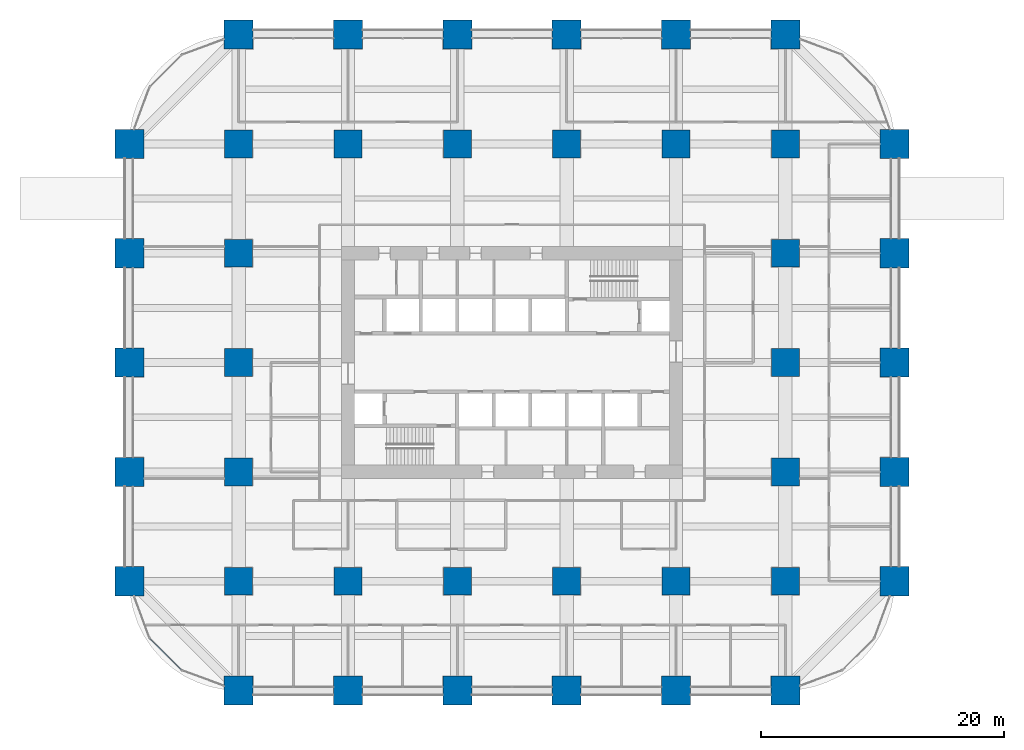
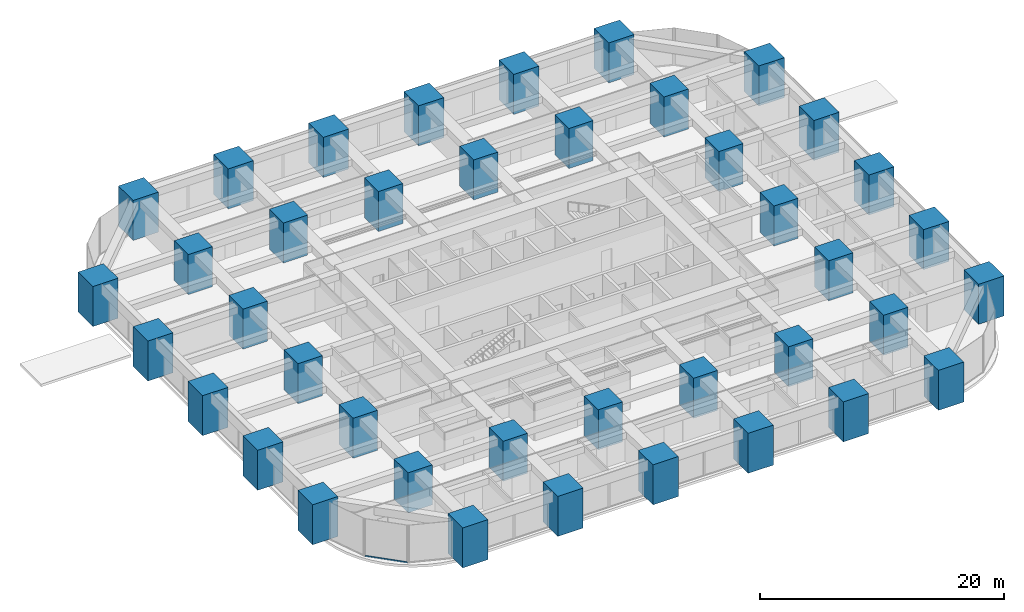
# One storey, part 1 of 39: 40 columns, 1 member, 1 element without a shape of its own.
"""IFC4 building model written with IfcOpenShell, lengths in metres."""

from ifc_helpers import new_model, si_unit, direction, frame, origin, origin_2d, place, context, subcontext, project, spatial, rectangle, hollow_rectangle, extrude, material, material_profile, profile_set, type_object, element, aggregate, save


model = new_model("IFC4")

# Units and contexts
model_context = context("Model", 3, precision=1e-05, world=origin(), true_north=direction((0.0, 1.0)))
body_context = subcontext(model_context, "Body", "Model", "MODEL_VIEW")
ifc_project = project(units=[si_unit("LENGTHUNIT", "METRE"), si_unit("AREAUNIT", "SQUARE_METRE"), si_unit("VOLUMEUNIT", "CUBIC_METRE"), si_unit("PLANEANGLEUNIT", "RADIAN"), si_unit("MASSUNIT", "GRAM", prefix="KILO")], contexts=[model_context])

# Site, building, storey
site_placement = place(None, origin())
site = spatial("IfcSite", under=ifc_project, at=site_placement, CompositionType="ELEMENT")
building_placement = place(site_placement, origin())
building = spatial("IfcBuilding", under=site, at=building_placement, Name="Zorevar Civic Tower", CompositionType="ELEMENT")
storey_placement = place(building_placement, frame((0.0, 0.0, 19.800048828125)))
storey = spatial("IfcBuildingStorey", under=building, at=storey_placement, Name="L04", CompositionType="ELEMENT", Elevation=19.800048828125)

# Columns
ifc_material_1 = material(Name="Concrete C50/60", Category="concrete")
ifc_material_profile_1 = material_profile(ifc_material_1, rectangle(XDim=2.300048828125, YDim=2.300048828125, at=origin_2d()), Name="RC 2300x2300")
ifc_profile_set_1 = profile_set([ifc_material_profile_1], Name="Concrete C50/60")
column_type_1 = type_object("IfcColumnType", Name="Column RC 2300x2300", PredefinedType="COLUMN", material=ifc_profile_set_1)
for number, where, z_axis, x_axis, name in (
    (1, (9.0, 9.0, 0.0), (0.0, 0.0, 1.0), (1.0, 0.0, 0.0), "Column 3B L04"),
    (2, (9.0, 18.0, 0.0), (0.0, 0.0, 1.0), (1.0, 0.0, 0.0), "Column 3C L04"),
    (3, (9.0, 27.0, 0.0), (0.0, 0.0, 1.0), (1.0, 0.0, 0.0), "Column 3D L04"),
    (4, (9.0, 36.0, 0.0), (0.0, 0.0, 1.0), (1.0, 0.0, 0.0), "Column 3E L04"),
    (5, (9.0, 45.0, 0.0), (0.0, 0.0, 1.0), (1.0, 0.0, 0.0), "Column 3F L04"),
    (6, (18.0, 9.0, 0.0), (0.0, 0.0, 1.0), (1.0, 0.0, 0.0), "Column 4B L04"),
    (7, (18.0, 45.0, 0.0), (0.0, 0.0, 1.0), (1.0, 0.0, 0.0), "Column 4F L04"),
    (8, (27.0, 9.0, 0.0), (0.0, 0.0, 1.0), (1.0, 0.0, 0.0), "Column 5B L04"),
    (9, (27.0, 45.0, 0.0), (0.0, 0.0, 1.0), (1.0, 0.0, 0.0), "Column 5F L04"),
    (10, (36.0, 9.0, 0.0), (0.0, 0.0, 1.0), (1.0, 0.0, 0.0), "Column 6B L04"),
    (11, (36.0, 45.0, 0.0), (0.0, 0.0, 1.0), (1.0, 0.0, 0.0), "Column 6F L04"),
    (12, (45.0, 9.0, 0.0), (0.0, 0.0, 1.0), (1.0, 0.0, 0.0), "Column 7B L04"),
    (13, (45.0, 45.0, 0.0), (0.0, 0.0, 1.0), (1.0, 0.0, 0.0), "Column 7F L04"),
    (14, (54.0, 9.0, 0.0), (0.0, 0.0, 1.0), (1.0, 0.0, 0.0), "Column 8B L04"),
    (15, (54.0, 18.0, 0.0), (0.0, 0.0, 1.0), (1.0, 0.0, 0.0), "Column 8C L04"),
    (16, (54.0, 27.0, 0.0), (0.0, 0.0, 1.0), (1.0, 0.0, 0.0), "Column 8D L04"),
    (17, (54.0, 36.0, 0.0), (0.0, 0.0, 1.0), (1.0, 0.0, 0.0), "Column 8E L04"),
    (18, (54.0, 45.0, 0.0), (0.0, 0.0, 1.0), (1.0, 0.0, 0.0), "Column 8F L04"),
):
    element("IfcColumn", number, at=place(storey_placement, frame(where, z_axis=z_axis, x_axis=x_axis)), inside=storey, type_object=column_type_1, Name=name, PredefinedType="COLUMN", context=body_context, shape_type="SweptSolid", body=[
        extrude(rectangle(XDim=2.300048828125, YDim=2.300048828125, at=origin_2d()), origin(), (0.0, 0.0, 1.0), 4.0),
    ])
ifc_material_2 = material(Name="Concrete C50/60", Category="concrete")
ifc_material_profile_2 = material_profile(ifc_material_2, rectangle(XDim=2.39990234375, YDim=2.39990234375, at=origin_2d()), Name="RC 2400x2400")
ifc_profile_set_2 = profile_set([ifc_material_profile_2], Name="Concrete C50/60")
column_type_2 = type_object("IfcColumnType", Name="Column RC 2400x2400", PredefinedType="COLUMN", material=ifc_profile_set_2)
for number, where, z_axis, x_axis, name in (
    (19, (0.0, 9.0, 0.0), (0.0, 0.0, 1.0), (1.0, 0.0, 0.0), "Column 2B L04"),
    (20, (0.0, 18.0, 0.0), (0.0, 0.0, 1.0), (1.0, 0.0, 0.0), "Column 2C L04"),
    (21, (0.0, 27.0, 0.0), (0.0, 0.0, 1.0), (1.0, 0.0, 0.0), "Column 2D L04"),
    (22, (0.0, 36.0, 0.0), (0.0, 0.0, 1.0), (1.0, 0.0, 0.0), "Column 2E L04"),
    (23, (0.0, 45.0, 0.0), (0.0, 0.0, 1.0), (1.0, 0.0, 0.0), "Column 2F L04"),
    (24, (9.0, 0.0, 0.0), (0.0, 0.0, 1.0), (1.0, 0.0, 0.0), "Column 3A L04"),
    (25, (9.0, 54.0, 0.0), (0.0, 0.0, 1.0), (1.0, 0.0, 0.0), "Column 3G L04"),
    (26, (18.0, 0.0, 0.0), (0.0, 0.0, 1.0), (1.0, 0.0, 0.0), "Column 4A L04"),
    (27, (18.0, 54.0, 0.0), (0.0, 0.0, 1.0), (1.0, 0.0, 0.0), "Column 4G L04"),
    (28, (27.0, 0.0, 0.0), (0.0, 0.0, 1.0), (1.0, 0.0, 0.0), "Column 5A L04"),
    (29, (27.0, 54.0, 0.0), (0.0, 0.0, 1.0), (1.0, 0.0, 0.0), "Column 5G L04"),
    (30, (36.0, 0.0, 0.0), (0.0, 0.0, 1.0), (1.0, 0.0, 0.0), "Column 6A L04"),
    (31, (36.0, 54.0, 0.0), (0.0, 0.0, 1.0), (1.0, 0.0, 0.0), "Column 6G L04"),
    (32, (45.0, 0.0, 0.0), (0.0, 0.0, 1.0), (1.0, 0.0, 0.0), "Column 7A L04"),
    (33, (45.0, 54.0, 0.0), (0.0, 0.0, 1.0), (1.0, 0.0, 0.0), "Column 7G L04"),
    (34, (54.0, 0.0, 0.0), (0.0, 0.0, 1.0), (1.0, 0.0, 0.0), "Column 8A L04"),
    (35, (54.0, 54.0, 0.0), (0.0, 0.0, 1.0), (1.0, 0.0, 0.0), "Column 8G L04"),
    (36, (63.0, 9.0, 0.0), (0.0, 0.0, 1.0), (1.0, 0.0, 0.0), "Column 9B L04"),
    (37, (63.0, 18.0, 0.0), (0.0, 0.0, 1.0), (1.0, 0.0, 0.0), "Column 9C L04"),
    (38, (63.0, 27.0, 0.0), (0.0, 0.0, 1.0), (1.0, 0.0, 0.0), "Column 9D L04"),
    (39, (63.0, 36.0, 0.0), (0.0, 0.0, 1.0), (1.0, 0.0, 0.0), "Column 9E L04"),
    (40, (63.0, 45.0, 0.0), (0.0, 0.0, 1.0), (1.0, 0.0, 0.0), "Column 9F L04"),
):
    element("IfcColumn", number, at=place(storey_placement, frame(where, z_axis=z_axis, x_axis=x_axis)), inside=storey, type_object=column_type_2, Name=name, PredefinedType="COLUMN", context=body_context, shape_type="SweptSolid", body=[
        extrude(rectangle(XDim=2.39990234375, YDim=2.39990234375, at=origin_2d()), origin(), (0.0, 0.0, 1.0), 4.0),
    ])

# Curtain wall, member
ifc_material_3 = material(Name="Dark grey solar-control glass in black aluminium frame", Category="aluminium")
curtain_wall_type = type_object("IfcCurtainWallType", Name="Curtain wall CW2 low zone", PredefinedType="NOTDEFINED", material=ifc_material_3)
curtain_wall_placement = place(storey_placement, origin())
curtain_wall = element("IfcCurtainWall", 41, at=curtain_wall_placement, inside=storey, type_object=curtain_wall_type, Name="CW2 L04", PredefinedType="NOTDEFINED")
ifc_material_4 = material(Name="Aluminium, black anodised", Category="aluminium")
ifc_material_profile_3 = material_profile(ifc_material_4, hollow_rectangle(XDim=0.06005859375, YDim=0.14990234375, WallThickness=0.00390625, at=origin_2d()), Name="AL 150x60x4")
ifc_profile_set_3 = profile_set([ifc_material_profile_3], Name="Aluminium, black anodised")
member_type = type_object("IfcMemberType", Name="CW2 transom AL 150x60x4", PredefinedType="USERDEFINED", material=ifc_profile_set_3)
member_placement = place(storey_placement, frame((1.716552734375, 4.264892578125, 0.030029296875), z_axis=(0.707106781187, -0.707106781187, 0.0), x_axis=(0.707106781187, 0.707106781187, 0.0)))
member = element("IfcMember", 42, at=member_placement, type_object=member_type, Name="CW2 sill transom", ObjectType="TRANSOM", PredefinedType="USERDEFINED", context=body_context, shape_type="SweptSolid", body=[
    extrude(hollow_rectangle(XDim=0.06005859375, YDim=0.14990234375, WallThickness=0.00390625, at=origin_2d()), origin(), (0.0, 0.0, 1.0), 3.60400390625),
])
aggregate(curtain_wall, [member])

save(model, "model.ifc")
